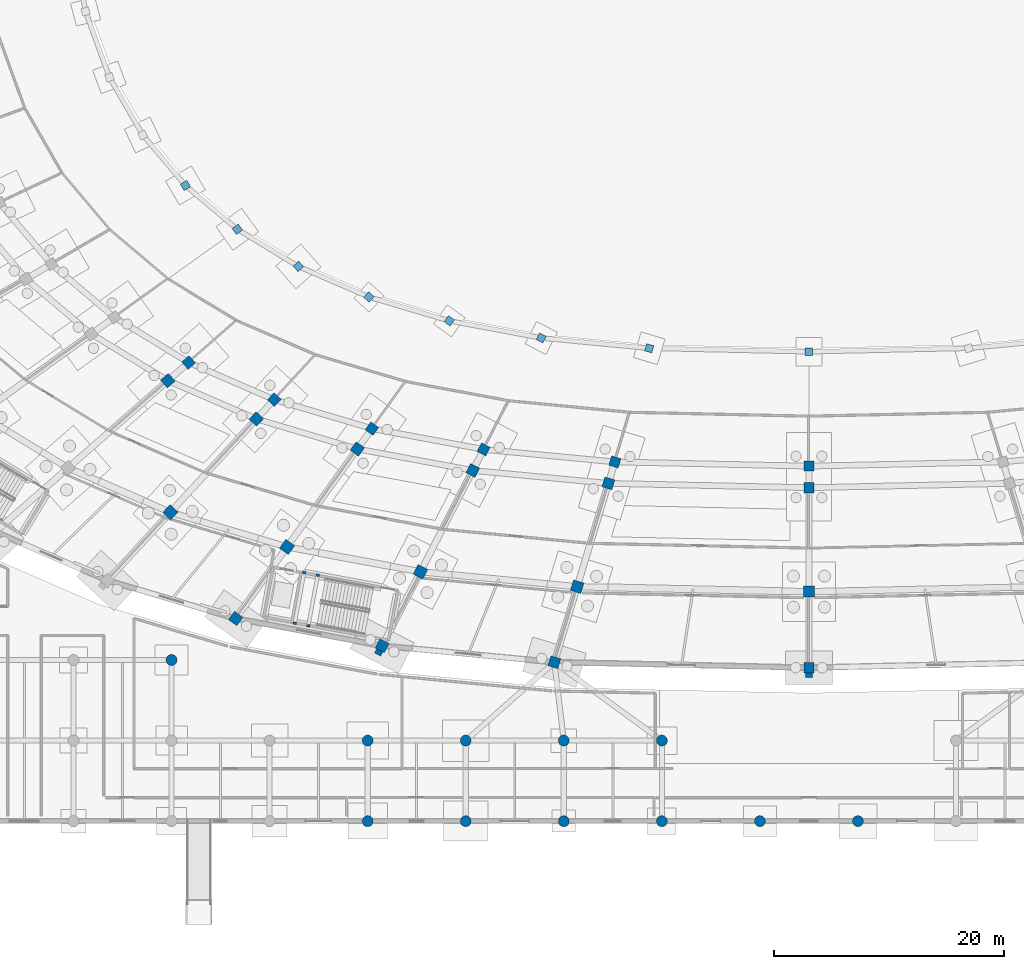
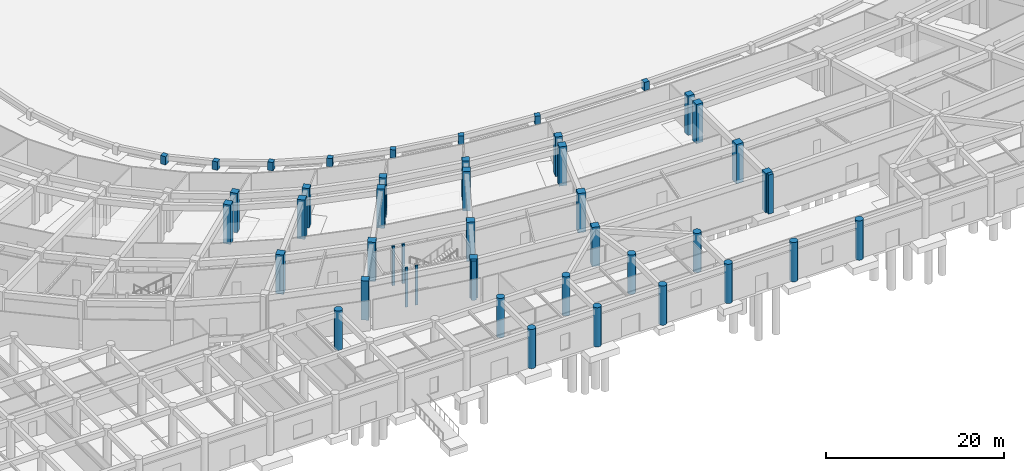
# One storey, part 16 of 88: 46 columns.
"""IFC4 building model written with IfcOpenShell, lengths in metres."""

import ifcopenshell
import ifcopenshell.guid

model = None  # the IFC model being written
_history = None  # IfcOwnerHistory: only IFC2X3 demands one
_inside = {}  # id of a spatial element -> (the spatial element, [elements in it])
_under = {}  # id of a project, library or spatial element -> (it, [spatial elements below it])
_declared = {}  # id of a project -> (the project, [libraries it declares])
_typed = {}  # id of a type object -> (the type object, [elements of that type])
_made_of = {}  # id of a material, layer set ... -> (it, [elements and type objects made of it])


def new_model(schema):
    """Start an empty IFC model of exactly this schema.

    Asked for "IFC4X3", IfcOpenShell would pick the latest addendum, in which some entities
    have other attributes; the version numbers below select the first issue.
    IFC2X3 requires an IfcOwnerHistory on every rooted entity: one is made here for all.
    """
    global model, _history
    if schema == "IFC4X3":
        model = ifcopenshell.file(schema_version=(4, 3, 0, 0))
    else:
        model = ifcopenshell.file(schema=schema)
    _inside.clear()
    _under.clear()
    _declared.clear()
    _typed.clear()
    _made_of.clear()
    _history = None
    if model.schema == "IFC2X3":
        org = make("IfcOrganization", Name="unknown")
        user = make(
            "IfcPersonAndOrganization",
            ThePerson=make("IfcPerson", FamilyName="unknown"),
            TheOrganization=org,
        )
        app = make(
            "IfcApplication",
            ApplicationDeveloper=org,
            Version="unknown",
            ApplicationFullName="unknown",
            ApplicationIdentifier="unknown",
        )
        _history = make(
            "IfcOwnerHistory",
            OwningUser=user,
            OwningApplication=app,
            ChangeAction="ADDED",
            CreationDate=0,
        )
    return model


def make(cls, **values):
    """One entity of the class cls with the attributes given. An attribute that is None is left unset."""
    return model.create_entity(
        cls, **{name: value for name, value in values.items() if value is not None}
    )


def rooted(cls, **values):
    """An entity with a GlobalId (a new one), such as an element, a storey or a relation."""
    return make(cls, GlobalId=ifcopenshell.guid.new(), OwnerHistory=_history, **values)


def si_unit(unit_type, name, prefix=None):
    """IfcSIUnit, for example si_unit("LENGTHUNIT", "METRE", prefix="MILLI")."""
    return make("IfcSIUnit", UnitType=unit_type, Prefix=prefix, Name=name)


def assignment(units):
    """IfcUnitAssignment: the units of a project."""
    return None if units is None else make("IfcUnitAssignment", Units=units)


def point(xyz):
    """IfcCartesianPoint."""
    return None if xyz is None else make("IfcCartesianPoint", Coordinates=xyz)


def direction(xyz):
    """IfcDirection."""
    return None if xyz is None else make("IfcDirection", DirectionRatios=xyz)


def frame(location, z_axis=None, x_axis=None):
    """IfcAxis2Placement3D, a coordinate frame: its origin and axes. An axis left out is left unset."""
    return make(
        "IfcAxis2Placement3D",
        Location=point(location),
        Axis=direction(z_axis),
        RefDirection=direction(x_axis),
    )


def frame_2d(location, x_axis=None):
    """IfcAxis2Placement2D, a coordinate frame in the plane: its origin and x axis."""
    return make(
        "IfcAxis2Placement2D", Location=point(location), RefDirection=direction(x_axis)
    )


def origin():
    """The frame at (0, 0, 0) with its axes left unset."""
    return frame((0.0, 0.0, 0.0))


def origin_2d():
    """The frame at (0, 0) in the plane with its x axis left unset."""
    return frame_2d((0.0, 0.0))


def place(relative_to, where):
    """IfcLocalPlacement: puts the frame where relative to a parent placement (None: the world)."""
    return make(
        "IfcLocalPlacement", PlacementRelTo=relative_to, RelativePlacement=where
    )


def context(
    kind, dimensions, precision=None, world=None, true_north=None, identifier=None
):
    """IfcGeometricRepresentationContext, for example the 3D "Model" context."""
    return make(
        "IfcGeometricRepresentationContext",
        ContextIdentifier=identifier,
        ContextType=kind,
        CoordinateSpaceDimension=dimensions,
        Precision=precision,
        WorldCoordinateSystem=world,
        TrueNorth=true_north,
    )


def subcontext(parent, identifier, kind, view, scale=None):
    """IfcGeometricRepresentationSubContext, for example "Body" below "Model"."""
    return make(
        "IfcGeometricRepresentationSubContext",
        ContextIdentifier=identifier,
        ContextType=kind,
        ParentContext=parent,
        TargetScale=scale,
        TargetView=view,
    )


def project(units=None, contexts=None):
    """IfcProject with its units and contexts."""
    return rooted(
        "IfcProject",
        Name="project",
        RepresentationContexts=contexts,
        UnitsInContext=assignment(units),
    )


def spatial(cls, under=None, at=None, **own):
    """A site, building, storey or space (cls), placed at a placement, below another one or the project."""
    s = rooted(cls, ObjectPlacement=at, **own)
    if under is not None:
        _under.setdefault(under.id(), (under, []))[1].append(s)
    return s


def profile(cls, at=None, kind="AREA", **sizes):
    """A parametric profile (cls). Its sizes go by their IFC names, for example OverallWidth=200.0."""
    return make(cls, ProfileType=kind, Position=at, **sizes)


def rectangle(**sizes):
    """IfcRectangleProfileDef."""
    return profile("IfcRectangleProfileDef", **sizes)


def circle(**sizes):
    """IfcCircleProfileDef."""
    return profile("IfcCircleProfileDef", **sizes)


def extrude(swept, where, along, depth):
    """IfcExtrudedAreaSolid: the profile swept, set in the frame where, extruded along a direction by depth."""
    return make(
        "IfcExtrudedAreaSolid",
        SweptArea=swept,
        Position=where,
        ExtrudedDirection=direction(along),
        Depth=depth,
    )


def shape(context_of_items, identifier, shape_type, items):
    """IfcShapeRepresentation: the items that make up one representation, for example the "Body"."""
    return make(
        "IfcShapeRepresentation",
        ContextOfItems=context_of_items,
        RepresentationIdentifier=identifier,
        RepresentationType=shape_type,
        Items=items,
    )


def material(Name=None, Category=None):
    """IfcMaterial."""
    return make("IfcMaterial", Name=Name, Category=Category)


def material_profile(
    of_material, cross_section, Name=None, Category=None, Priority=None
):
    """IfcMaterialProfile: a cross section and its material."""
    return make(
        "IfcMaterialProfile",
        Name=Name,
        Material=of_material,
        Profile=cross_section,
        Priority=Priority,
        Category=Category,
    )


def profile_set(profiles, Name=None, composite=None):
    """IfcMaterialProfileSet."""
    return make(
        "IfcMaterialProfileSet",
        Name=Name,
        MaterialProfiles=profiles,
        CompositeProfile=composite,
    )


def made_of(thing, what):
    """Note that an element or type object is made of a material, layer set ...; save() writes the relation."""
    if what is not None:
        _made_of.setdefault(what.id(), (what, []))[1].append(thing)
    return thing


def type_object(cls, material=None, **own):
    """A type object (cls), such as IfcWallType, which elements share."""
    return made_of(rooted(cls, **own), material)


def element(
    cls,
    number,
    at=None,
    inside=None,
    cuts=None,
    type_object=None,
    material=None,
    context=None,
    identifier="Body",
    shape_type=None,
    held_by="IfcProductDefinitionShape",
    body=None,
    shapes=None,
    **own,
):
    """One element of the class cls, such as IfcWall. Its Tag is "e" and its number.

    at: its placement. inside: the storey or other place that contains it. cuts: it is an
    opening in that element (IfcRelVoidsElement). A single representation is given by context,
    identifier, shape_type and body (its items); several are given by shapes. held_by: the class
    of the entity that holds the representations. save() writes the other relations.
    """
    e = rooted(cls, Tag="e%d" % number, ObjectPlacement=at, **own)
    if body is not None:
        shapes = [shape(context, identifier, shape_type, body)]
    if shapes is not None:
        e.Representation = make(held_by, Representations=shapes)
    if inside is not None:
        _inside.setdefault(inside.id(), (inside, []))[1].append(e)
    if cuts is not None:
        rooted(
            "IfcRelVoidsElement", RelatingBuildingElement=cuts, RelatedOpeningElement=e
        )
    if type_object is not None:
        _typed.setdefault(type_object.id(), (type_object, []))[1].append(e)
    return made_of(e, material)


def aggregate(whole, parts):
    """IfcRelAggregates: a whole, such as a stair, and the parts it consists of."""
    return rooted("IfcRelAggregates", RelatingObject=whole, RelatedObjects=parts)


def save(model, path):
    """Write the relations noted so far, then the file.

    IfcRelAggregates (storeys below a building ...), IfcRelContainedInSpatialStructure (elements
    in a storey), IfcRelDefinesByType, IfcRelAssociatesMaterial and IfcRelDeclares: one each for
    every whole, place, type object, material and project.
    """
    for whole, parts in _under.values():
        aggregate(whole, parts)
    for where, things in _inside.values():
        rooted(
            "IfcRelContainedInSpatialStructure",
            RelatedElements=things,
            RelatingStructure=where,
        )
    for kind, things in _typed.values():
        rooted("IfcRelDefinesByType", RelatedObjects=things, RelatingType=kind)
    for what, things in _made_of.values():
        rooted("IfcRelAssociatesMaterial", RelatedObjects=things, RelatingMaterial=what)
    for by, libraries in _declared.values():
        rooted("IfcRelDeclares", RelatingContext=by, RelatedDefinitions=libraries)
    model.write(path)


model = new_model("IFC4")

# Units and contexts
model_context = context("Model", 3, precision=1e-05, world=origin(), true_north=direction((0.0, 1.0)))
body_context = subcontext(model_context, "Body", "Model", "MODEL_VIEW")
ifc_project = project(units=[si_unit("LENGTHUNIT", "METRE"), si_unit("AREAUNIT", "SQUARE_METRE"), si_unit("VOLUMEUNIT", "CUBIC_METRE"), si_unit("PLANEANGLEUNIT", "RADIAN"), si_unit("MASSUNIT", "GRAM", prefix="KILO")], contexts=[model_context])

# Site, building, storey
site_placement = place(None, origin())
site = spatial("IfcSite", under=ifc_project, at=site_placement, CompositionType="ELEMENT")
building_placement = place(site_placement, origin())
building = spatial("IfcBuilding", under=site, at=building_placement, Name="Mphavela Belvedere Stadium", CompositionType="ELEMENT")
storey_placement = place(building_placement, origin())
storey = spatial("IfcBuildingStorey", under=building, at=storey_placement, Name="L00", CompositionType="ELEMENT", Elevation=0.0)

# Columns
ifc_material_1 = material(Name="Concrete C40/50", Category="concrete")
ifc_material_profile_1 = material_profile(ifc_material_1, rectangle(XDim=0.300048828125, YDim=0.219970703125, at=origin_2d()), Name="RC 300x220")
ifc_profile_set_1 = profile_set([ifc_material_profile_1], Name="Concrete C40/50")
column_type_1 = type_object("IfcColumnType", Name="COL-CORE-POST-300", PredefinedType="COLUMN", material=ifc_profile_set_1)
for number, where, z_axis, x_axis, name in (
    (1, (72.329833984375, 21.36865234375, 0.0), (0.0, 0.0, 1.0), (-0.983095502692, 0.183093507769, 0.0), "Core C11 stair frame column L00-1"),
    (2, (71.150146484375, 21.58837890625, 0.0), (0.0, 0.0, 1.0), (-0.983095502692, 0.183093507769, 0.0), "Core C11 stair frame column L00-2"),
    (3, (70.331787109375, 17.19384765625, 0.0), (0.0, 0.0, 1.0), (-0.983095502692, 0.183093507769, 0.0), "Core C11 stair frame column L00-3"),
    (4, (71.511474609375, 16.97412109375, 0.0), (0.0, 0.0, 1.0), (-0.983095502692, 0.183093507769, 0.0), "Core C11 stair frame column L00-4"),
):
    element("IfcColumn", number, at=place(storey_placement, frame(where, z_axis=z_axis, x_axis=x_axis)), inside=storey, type_object=column_type_1, Name=name, PredefinedType="COLUMN", context=body_context, shape_type="SweptSolid", body=[
        extrude(rectangle(XDim=0.300048828125, YDim=0.219970703125, at=origin_2d()), origin(), (0.0, 0.0, 1.0), 5.39990234375),
    ])
ifc_material_2 = material(Name="Concrete C40/50", Category="concrete")
ifc_material_profile_2 = material_profile(ifc_material_2, circle(Radius=0.47509765625, at=origin_2d()), Name="COL D950")
ifc_profile_set_2 = profile_set([ifc_material_profile_2], Name="Concrete C40/50")
column_type_2 = type_object("IfcColumnType", Name="COL-DORIC-950", PredefinedType="COLUMN", material=ifc_profile_set_2)
for number, where, z_axis, x_axis, name in (
    (5, (59.6298828125, 14.0, 0.0), (0.0, 0.0, 1.0), (1.0, 0.0, 0.0), "South Axial Triumphal Peristyle Portico classical column L00 8-3"),
    (6, (76.6669921875, 0.0, 0.0), (0.0, 0.0, 1.0), (1.0, 0.0, 0.0), "South Axial Triumphal Peristyle Portico classical column L00 10-1"),
    (7, (76.6669921875, 7.0, 0.0), (0.0, 0.0, 1.0), (1.0, 0.0, 0.0), "South Axial Triumphal Peristyle Portico classical column L00 10-2"),
    (8, (85.18505859375, 0.0, 0.0), (0.0, 0.0, 1.0), (1.0, 0.0, 0.0), "South Axial Triumphal Peristyle Portico classical column L00 11-1"),
    (9, (85.18505859375, 7.0, 0.0), (0.0, 0.0, 1.0), (1.0, 0.0, 0.0), "South Axial Triumphal Peristyle Portico classical column L00 11-2"),
    (10, (93.7041015625, 0.0, 0.0), (0.0, 0.0, 1.0), (1.0, 0.0, 0.0), "South Axial Triumphal Peristyle Portico classical column L00 12-1"),
    (11, (93.7041015625, 7.0, 0.0), (0.0, 0.0, 1.0), (1.0, 0.0, 0.0), "South Axial Triumphal Peristyle Portico classical column L00 12-2"),
    (12, (102.221923828125, 0.0, 0.0), (0.0, 0.0, 1.0), (1.0, 0.0, 0.0), "South Axial Triumphal Peristyle Portico classical column L00 13-1"),
    (13, (102.221923828125, 7.0, 0.0), (0.0, 0.0, 1.0), (1.0, 0.0, 0.0), "South Axial Triumphal Peristyle Portico classical column L00 13-2"),
    (14, (110.740966796875, 0.0, 0.0), (0.0, 0.0, 1.0), (1.0, 0.0, 0.0), "South Axial Triumphal Peristyle Portico classical column L00 14-1"),
    (15, (119.259033203125, 0.0, 0.0), (0.0, 0.0, 1.0), (1.0, 0.0, 0.0), "South Axial Triumphal Peristyle Portico classical column L00 15-1"),
):
    element("IfcColumn", number, at=place(storey_placement, frame(where, z_axis=z_axis, x_axis=x_axis)), inside=storey, type_object=column_type_2, Name=name, PredefinedType="COLUMN", context=body_context, shape_type="SweptSolid", body=[
        extrude(circle(Radius=0.47509765625, at=origin_2d()), origin(), (0.0, 0.0, 1.0), 5.39990234375),
    ])
ifc_material_3 = material(Name="Concrete C40/50", Category="concrete")
ifc_material_profile_3 = material_profile(ifc_material_3, rectangle(XDim=0.64990234375, YDim=0.64990234375, at=origin_2d()), Name="RC 650x650")
ifc_profile_set_3 = profile_set([ifc_material_profile_3], Name="Concrete C40/50")
column_type_3 = type_object("IfcColumnType", Name="COL-RC650", PredefinedType="COLUMN", material=ifc_profile_set_3)
for number, where, z_axis, x_axis, name in (
    (16, (60.8349609375, 55.22216796875, 0.0), (0.0, 0.0, 1.0), (-0.862513669207, -0.506033764121, 0.0), "Lower tier plinth column 30"),
    (17, (65.341064453125, 51.419677734375, 0.0), (0.0, 0.0, 1.0), (-0.812897512265, -0.582406760395, 0.0), "Lower tier plinth column 31"),
    (18, (70.648193359375, 48.19091796875, 0.0), (0.0, 0.0, 1.0), (-0.752529860433, -0.658558128912, 0.0), "Lower tier plinth column 32"),
    (19, (76.770263671875, 45.537109375, 0.0), (0.0, 0.0, 1.0), (-0.677903094969, -0.735151272753, 0.0), "Lower tier plinth column 33"),
    (20, (83.7568359375, 43.46337890625, 0.0), (0.0, 0.0, 1.0), (-0.582974127943, -0.812490717577, 0.0), "Lower tier plinth column 34"),
    (21, (91.741943359375, 41.97607421875, 0.0), (0.0, 0.0, 1.0), (-0.458959712465, -0.888457079624, 0.0), "Lower tier plinth column 35"),
    (22, (101.126220703125, 41.081298828125, 0.0), (0.0, 0.0, 1.0), (-0.289198876314, -0.957269037387, 0.0), "Lower tier plinth column 36"),
    (23, (115.0, 40.782470703125, 0.0), (0.0, 0.0, 1.0), (0.0, -1.0, 0.0), "Lower tier plinth column 37"),
):
    element("IfcColumn", number, at=place(storey_placement, frame(where, z_axis=z_axis, x_axis=x_axis)), inside=storey, type_object=column_type_3, Name=name, PredefinedType="COLUMN", context=body_context, shape_type="SweptSolid", body=[
        extrude(rectangle(XDim=0.64990234375, YDim=0.64990234375, at=origin_2d()), origin(), (0.0, 0.0, 1.0), 1.14990234375),
    ])
ifc_material_4 = material(Name="Concrete C40/50", Category="concrete")
ifc_material_profile_4 = material_profile(ifc_material_4, rectangle(XDim=0.85009765625, YDim=0.85009765625, at=origin_2d()), Name="RC 850x850")
ifc_profile_set_4 = profile_set([ifc_material_profile_4], Name="Concrete C40/50")
column_type_4 = type_object("IfcColumnType", Name="COL-RC850", PredefinedType="COLUMN", material=ifc_profile_set_4)
for number, where, z_axis, x_axis, name in (
    (24, (61.11083984375, 39.845703125, 0.0), (0.0, 0.0, 1.0), (-0.752529860433, -0.658558128912, 0.0), "Inner concourse column L00 R1-32"),
    (25, (68.549560546875, 36.62109375, 0.0), (0.0, 0.0, 1.0), (-0.677903094969, -0.735151272753, 0.0), "Inner concourse column L00 R1-33"),
    (26, (77.038330078125, 34.101318359375, 0.0), (0.0, 0.0, 1.0), (-0.582974127943, -0.812490717577, 0.0), "Inner concourse column L00 R1-34"),
    (27, (86.74072265625, 32.294189453125, 0.0), (0.0, 0.0, 1.0), (-0.458959712465, -0.888457079624, 0.0), "Inner concourse column L00 R1-35"),
    (28, (98.142822265625, 31.20703125, 0.0), (0.0, 0.0, 1.0), (-0.289198876314, -0.957269037387, 0.0), "Inner concourse column L00 R1-36"),
    (29, (115.0, 30.843994140625, 0.0), (0.0, 0.0, 1.0), (0.0, -1.0, 0.0), "Inner concourse column L00 R1-37"),
):
    element("IfcColumn", number, at=place(storey_placement, frame(where, z_axis=z_axis, x_axis=x_axis)), inside=storey, type_object=column_type_4, Name=name, PredefinedType="COLUMN", context=body_context, shape_type="SweptSolid", body=[
        extrude(rectangle(XDim=0.85009765625, YDim=0.85009765625, at=origin_2d()), origin(), (0.0, 0.0, 1.0), 5.39990234375),
    ])
ifc_material_5 = material(Name="Concrete C40/50", Category="concrete")
ifc_material_profile_5 = material_profile(ifc_material_5, rectangle(XDim=0.89990234375, YDim=0.89990234375, at=origin_2d()), Name="RC 900x900")
ifc_profile_set_5 = profile_set([ifc_material_profile_5], Name="Concrete C40/50")
column_type_5 = type_object("IfcColumnType", Name="COL-RC900", PredefinedType="COLUMN", material=ifc_profile_set_5)
for number, where, z_axis, x_axis, name in (
    (30, (59.31005859375, 38.27001953125, 0.0), (0.0, 0.0, 1.0), (-0.752529860433, -0.658558128912, 0.0), "Middle concourse column L00 R2-32"),
    (31, (66.997314453125, 34.9375, 0.0), (0.0, 0.0, 1.0), (-0.677903094969, -0.735151272753, 0.0), "Middle concourse column L00 R2-33"),
    (32, (75.769775390625, 32.33349609375, 0.0), (0.0, 0.0, 1.0), (-0.582974127943, -0.812490717577, 0.0), "Middle concourse column L00 R2-34"),
    (33, (65.19873046875, 17.60302734375, 0.0), (0.0, 0.0, 1.0), (-0.582974127943, -0.812490717577, 0.0), "Outer colonnade column L00 R4-34"),
    (34, (85.79638671875, 30.46630859375, 0.0), (0.0, 0.0, 1.0), (-0.458959712465, -0.888457079624, 0.0), "Middle concourse column L00 R2-35"),
    (35, (77.92724609375, 15.232666015625, 0.0), (0.0, 0.0, 1.0), (-0.458959712465, -0.888457079624, 0.0), "Outer colonnade column L00 R4-35"),
    (36, (97.57958984375, 29.342529296875, 0.0), (0.0, 0.0, 1.0), (-0.289198876314, -0.957269037387, 0.0), "Middle concourse column L00 R2-36"),
    (37, (92.885498046875, 13.80615234375, 0.0), (0.0, 0.0, 1.0), (-0.289198876314, -0.957269037387, 0.0), "Outer colonnade column L00 R4-36"),
    (38, (115.0, 28.967529296875, 0.0), (0.0, 0.0, 1.0), (0.0, -1.0, 0.0), "Middle concourse column L00 R2-37"),
    (39, (115.0, 13.330078125, 0.0), (0.0, 0.0, 1.0), (0.0, -1.0, 0.0), "Outer colonnade column L00 R4-37"),
):
    element("IfcColumn", number, at=place(storey_placement, frame(where, z_axis=z_axis, x_axis=x_axis)), inside=storey, type_object=column_type_5, Name=name, PredefinedType="COLUMN", context=body_context, shape_type="SweptSolid", body=[
        extrude(rectangle(XDim=0.89990234375, YDim=0.89990234375, at=origin_2d()), origin(), (0.0, 0.0, 1.0), 5.39990234375),
    ])
ifc_material_6 = material(Name="Concrete C40/50", Category="concrete")
ifc_material_profile_6 = material_profile(ifc_material_6, rectangle(XDim=0.949951171875, YDim=0.949951171875, at=origin_2d()), Name="RC 950x950")
ifc_profile_set_6 = profile_set([ifc_material_profile_6], Name="Concrete C40/50")
column_type_6 = type_object("IfcColumnType", Name="COL-RC950", PredefinedType="COLUMN", material=ifc_profile_set_6)
for number, where, z_axis, x_axis, name in (
    (40, (59.523681640625, 26.83203125, 0.0), (0.0, 0.0, 1.0), (-0.677903094969, -0.735151272753, 0.0), "Main bowl column L00 R3-33"),
    (41, (69.662109375, 23.822509765625, 0.0), (0.0, 0.0, 1.0), (-0.582974127943, -0.812490717577, 0.0), "Main bowl column L00 R3-34"),
    (42, (81.249755859375, 21.66455078125, 0.0), (0.0, 0.0, 1.0), (-0.458959712465, -0.888457079624, 0.0), "Main bowl column L00 R3-35"),
    (43, (94.8671875, 20.365966796875, 0.0), (0.0, 0.0, 1.0), (-0.289198876314, -0.957269037387, 0.0), "Main bowl column L00 R3-36"),
    (44, (115.0, 19.9326171875, 0.0), (0.0, 0.0, 1.0), (0.0, -1.0, 0.0), "Main bowl column L00 R3-37"),
):
    element("IfcColumn", number, at=place(storey_placement, frame(where, z_axis=z_axis, x_axis=x_axis)), inside=storey, type_object=column_type_6, Name=name, PredefinedType="COLUMN", context=body_context, shape_type="SweptSolid", body=[
        extrude(rectangle(XDim=0.949951171875, YDim=0.949951171875, at=origin_2d()), origin(), (0.0, 0.0, 1.0), 5.39990234375),
    ])
ifc_material_7 = material(Name="Concrete C40/50", Category="concrete")
ifc_material_profile_7 = material_profile(ifc_material_7, rectangle(XDim=0.60009765625, YDim=0.39990234375, at=origin_2d()), Name="PIL 600x400")
ifc_profile_set_7 = profile_set([ifc_material_profile_7], Name="Concrete C40/50")
column_type_7 = type_object("IfcColumnType", Name="PIL-FLUTED-600", PredefinedType="PILASTER", material=ifc_profile_set_7)
for number, where, z_axis, x_axis, name in (
    (45, (77.62744140625, 14.65234375, 0.0), (0.0, 0.0, 1.0), (0.888457079624, -0.458959712465, 0.0), "Fluted classical pilaster L00-35"),
    (46, (115.0, 12.677001953125, 0.0), (0.0, 0.0, 1.0), (1.0, 0.0, 0.0), "Fluted classical pilaster L00-37"),
):
    element("IfcColumn", number, at=place(storey_placement, frame(where, z_axis=z_axis, x_axis=x_axis)), inside=storey, type_object=column_type_7, Name=name, PredefinedType="PILASTER", context=body_context, shape_type="SweptSolid", body=[
        extrude(rectangle(XDim=0.60009765625, YDim=0.39990234375, at=origin_2d()), origin(), (0.0, 0.0, 1.0), 5.39990234375),
    ])

save(model, "model.ifc")
